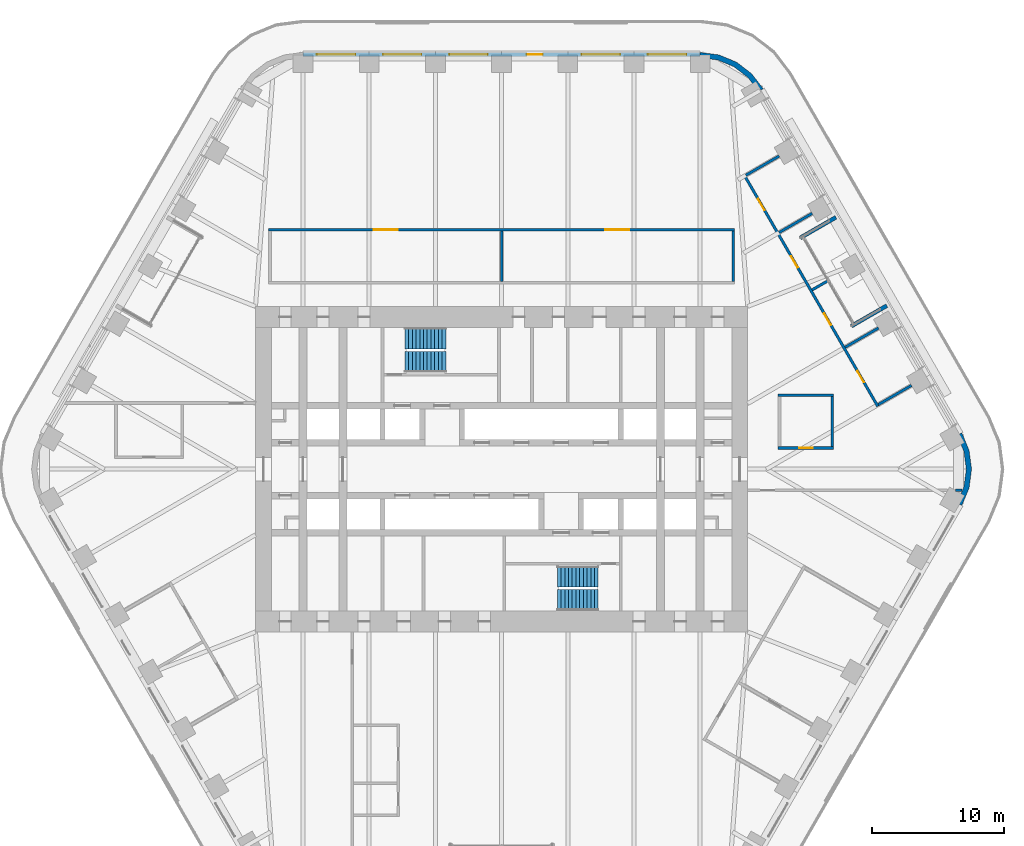
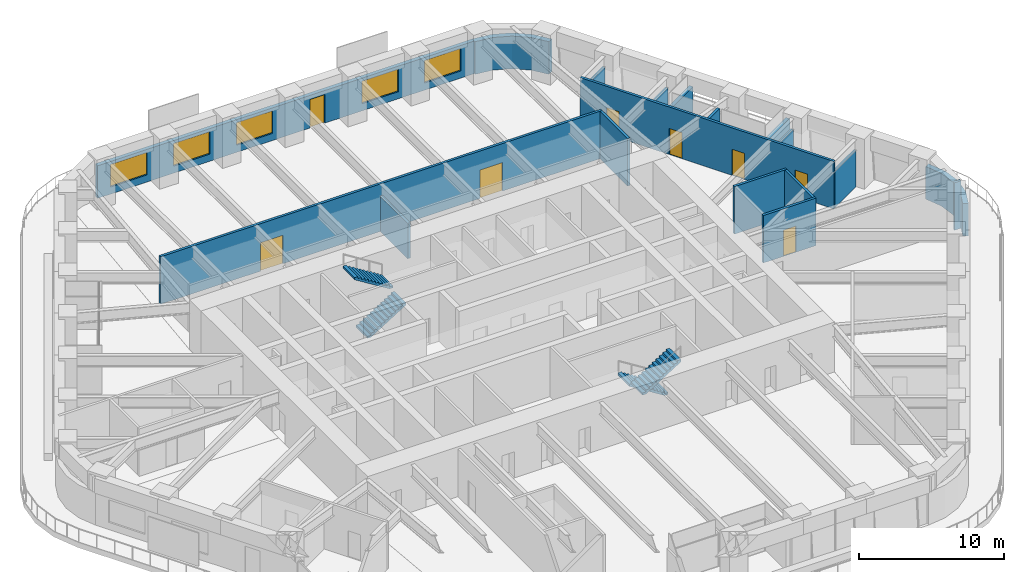
# One storey, part 21 of 24: 18 walls, 8 doors, 5 windows, 4 stair flights, 13 openings, 2 elements without a shape of their own.
"""IFC4 building model written with IfcOpenShell, lengths in metres."""

from ifc_helpers import new_model, si_unit, direction, frame, frame_2d, origin, place, context, subcontext, project, spatial, polyline, rectangle, outline, extrude, material, layer, layer_set, type_object, element, fill, aggregate, save


model = new_model("IFC4")

# Units and contexts
model_context = context("Model", 3, precision=1e-05, world=origin(), true_north=direction((0.0, 1.0)))
body_context = subcontext(model_context, "Body", "Model", "MODEL_VIEW")
ifc_project = project(units=[si_unit("LENGTHUNIT", "METRE"), si_unit("AREAUNIT", "SQUARE_METRE"), si_unit("VOLUMEUNIT", "CUBIC_METRE"), si_unit("PLANEANGLEUNIT", "RADIAN"), si_unit("MASSUNIT", "GRAM", prefix="KILO")], contexts=[model_context])

# Site, building, storey
site_placement = place(None, origin())
site = spatial("IfcSite", under=ifc_project, at=site_placement, CompositionType="ELEMENT")
building_placement = place(site_placement, origin())
building = spatial("IfcBuilding", under=site, at=building_placement, Name="Tarfa Lantern Tower", CompositionType="ELEMENT")
storey_placement = place(building_placement, frame((0.0, 0.0, 186.699951171875)))
storey = spatial("IfcBuildingStorey", under=building, at=storey_placement, Name="L42", CompositionType="ELEMENT", Elevation=186.699951171875)

# Walls
ifc_material_1 = material(Name="Limestone cladding on blockwork", Category="masonry")
ifc_layer_1 = layer(ifc_material_1, 0.300048828125)
ifc_layer_set_1 = layer_set([ifc_layer_1], Name="EW1 STONE-CLAD WALL 300")
wall_type_1 = type_object("IfcWallType", Name="EW1 STONE-CLAD WALL 300", PredefinedType="SOLIDWALL", material=ifc_layer_set_1)
wall_1_placement = place(storey_placement, frame((29.1201171875, 12.362548828125, 0.0), z_axis=(0.0, 0.0, 1.0), x_axis=(-0.86602952684, -0.49999285859, 0.0)))
element("IfcWall", 1, at=wall_1_placement, inside=storey, type_object=wall_type_1, Name="Loggia return NE 1", PredefinedType="SOLIDWALL", context=body_context, shape_type="SweptSolid", body=[
    extrude(rectangle(XDim=3.10009765625, YDim=0.300048828125, at=frame_2d((1.550048828125, 0.0))), origin(), (0.0, 0.0, 1.0), 2.75),
])
wall_2_placement = place(storey_placement, frame((25.266357421875, 19.037353515625, 0.0), z_axis=(0.0, 0.0, 1.0), x_axis=(-0.86600983753, -0.500026960575, 0.0)))
element("IfcWall", 2, at=wall_2_placement, inside=storey, type_object=wall_type_1, Name="Loggia return NE 2", PredefinedType="SOLIDWALL", context=body_context, shape_type="SweptSolid", body=[
    extrude(rectangle(XDim=3.099853515625, YDim=0.300048828125, at=frame_2d((1.5498046875, 0.0))), origin(), (0.0, 0.0, 1.0), 2.75),
])

# Wall, openings, door, windows
wall_3_placement = place(storey_placement, frame((15.010986328125, 31.35009765625, 0.0), z_axis=(0.0, 0.0, 1.0), x_axis=(-1.0, 0.0, 0.0)))
wall_3 = element("IfcWall", 3, at=wall_3_placement, inside=storey, type_object=wall_type_1, Name="Stone wall N", PredefinedType="SOLIDWALL", context=body_context, shape_type="SweptSolid", body=[
    extrude(rectangle(XDim=30.02197265625, YDim=0.300048828125, at=frame_2d((15.010986328125, 0.0))), origin(), (0.0, 0.0, 1.0), 2.75),
])
opening_1_placement = place(wall_3_placement, frame((1.0517578125, 0.0, 0.60009765625)))
opening_1 = element("IfcOpeningElement", 4, at=opening_1_placement, cuts=wall_3, Name="Opening W9", PredefinedType="OPENING", context=body_context, shape_type="SweptSolid", body=[
    extrude(rectangle(XDim=2.89990234375, YDim=1.89990234375, at=frame_2d((1.449951171875, 0.949951171875))), frame((0.0, 0.159912109375, 0.0), z_axis=(0.0, -1.0, 0.0), x_axis=(1.0, 0.0, 0.0)), (0.0, 0.0, 1.0), 0.320068359375),
])
opening_2_placement = place(wall_3_placement, frame((6.0556640625, 0.0, 0.60009765625)))
opening_2 = element("IfcOpeningElement", 5, at=opening_2_placement, cuts=wall_3, Name="Opening W9", PredefinedType="OPENING", context=body_context, shape_type="SweptSolid", body=[
    extrude(rectangle(XDim=2.89990234375, YDim=1.89990234375, at=frame_2d((1.449951171875, 0.949951171875))), frame((0.0, 0.159912109375, 0.0), z_axis=(0.0, -1.0, 0.0), x_axis=(1.0, 0.0, 0.0)), (0.0, 0.0, 1.0), 0.320068359375),
])
opening_3_placement = place(wall_3_placement, frame((11.9091796875, 0.0, 0.0)))
opening_3 = element("IfcOpeningElement", 6, at=opening_3_placement, cuts=wall_3, Name="Opening D50", PredefinedType="OPENING", context=body_context, shape_type="SweptSolid", body=[
    extrude(rectangle(XDim=1.199951171875, YDim=2.39990234375, at=frame_2d((0.60009765625, 1.199951171875))), frame((0.0, 0.159912109375, 0.0), z_axis=(0.0, -1.0, 0.0), x_axis=(1.0, 0.0, 0.0)), (0.0, 0.0, 1.0), 0.320068359375),
])
opening_4_placement = place(wall_3_placement, frame((16.06298828125, 0.0, 0.60009765625)))
opening_4 = element("IfcOpeningElement", 7, at=opening_4_placement, cuts=wall_3, Name="Opening W9", PredefinedType="OPENING", context=body_context, shape_type="SweptSolid", body=[
    extrude(rectangle(XDim=2.89990234375, YDim=1.89990234375, at=frame_2d((1.449951171875, 0.949951171875))), frame((0.0, 0.159912109375, 0.0), z_axis=(0.0, -1.0, 0.0), x_axis=(1.0, 0.0, 0.0)), (0.0, 0.0, 1.0), 0.320068359375),
])
opening_5_placement = place(wall_3_placement, frame((21.066650390625, 0.0, 0.60009765625)))
opening_5 = element("IfcOpeningElement", 8, at=opening_5_placement, cuts=wall_3, Name="Opening W9", PredefinedType="OPENING", context=body_context, shape_type="SweptSolid", body=[
    extrude(rectangle(XDim=2.89990234375, YDim=1.89990234375, at=frame_2d((1.449951171875, 0.949951171875))), frame((0.0, 0.159912109375, 0.0), z_axis=(0.0, -1.0, 0.0), x_axis=(1.0, 0.0, 0.0)), (0.0, 0.0, 1.0), 0.320068359375),
])
opening_6_placement = place(wall_3_placement, frame((26.0703125, 0.0, 0.60009765625)))
opening_6 = element("IfcOpeningElement", 9, at=opening_6_placement, cuts=wall_3, Name="Opening W9", PredefinedType="OPENING", context=body_context, shape_type="SweptSolid", body=[
    extrude(rectangle(XDim=2.89990234375, YDim=1.89990234375, at=frame_2d((1.449951171875, 0.949951171875))), frame((0.0, 0.159912109375, 0.0), z_axis=(0.0, -1.0, 0.0), x_axis=(1.0, 0.0, 0.0)), (0.0, 0.0, 1.0), 0.320068359375),
])
ifc_material_2 = material(Name="Aluminium framed glazed door", Category="aluminium")
door_type_1 = type_object("IfcDoorType", Name="BE3 BALCONY DOOR 1200x2400", OperationType="SINGLE_SWING_RIGHT", PredefinedType="DOOR", material=ifc_material_2)
door_1_placement = place(opening_3_placement, origin())
door_1 = element("IfcDoor", 10, at=door_1_placement, inside=storey, type_object=door_type_1, Name="Balcony door N", OperationType="SINGLE_SWING_RIGHT", OverallHeight=2.39990234375, OverallWidth=1.199951171875, PredefinedType="DOOR", context=body_context, shape_type="SweptSolid", body=[
    extrude(rectangle(XDim=1.199951171875, YDim=2.39990234375, at=frame_2d((0.60009765625, 1.199951171875))), frame((0.0, 0.02490234375, 0.0), z_axis=(0.0, -1.0, 0.0), x_axis=(1.0, 0.0, 0.0)), (0.0, 0.0, 1.0), 0.050048828125),
])
fill(opening_3, door_1)
ifc_material_3 = material(Name="Aluminium frame, double glazed", Category="aluminium")
window_type = type_object("IfcWindowType", Name="W9 FULL-HEIGHT GLAZING 2900x1900", PartitioningType="SINGLE_PANEL", PredefinedType="WINDOW", material=ifc_material_3)
window_1_placement = place(opening_1_placement, origin())
window_1 = element("IfcWindow", 11, at=window_1_placement, inside=storey, type_object=window_type, Name="Window N 1", OverallHeight=1.89990234375, OverallWidth=2.89990234375, PartitioningType="SINGLE_PANEL", PredefinedType="WINDOW", context=body_context, shape_type="SweptSolid", body=[
    extrude(rectangle(XDim=2.89990234375, YDim=1.89990234375, at=frame_2d((1.449951171875, 0.949951171875))), frame((0.0, 0.030029296875, 0.0), z_axis=(0.0, -1.0, 0.0), x_axis=(1.0, 0.0, 0.0)), (0.0, 0.0, 1.0), 0.06005859375),
])
fill(opening_1, window_1)
window_2_placement = place(opening_2_placement, origin())
window_2 = element("IfcWindow", 12, at=window_2_placement, inside=storey, type_object=window_type, Name="Window N 2", OverallHeight=1.89990234375, OverallWidth=2.89990234375, PartitioningType="SINGLE_PANEL", PredefinedType="WINDOW", context=body_context, shape_type="SweptSolid", body=[
    extrude(rectangle(XDim=2.89990234375, YDim=1.89990234375, at=frame_2d((1.449951171875, 0.949951171875))), frame((0.0, 0.030029296875, 0.0), z_axis=(0.0, -1.0, 0.0), x_axis=(1.0, 0.0, 0.0)), (0.0, 0.0, 1.0), 0.06005859375),
])
fill(opening_2, window_2)
window_3_placement = place(opening_4_placement, origin())
window_3 = element("IfcWindow", 13, at=window_3_placement, inside=storey, type_object=window_type, Name="Window N 4", OverallHeight=1.89990234375, OverallWidth=2.89990234375, PartitioningType="SINGLE_PANEL", PredefinedType="WINDOW", context=body_context, shape_type="SweptSolid", body=[
    extrude(rectangle(XDim=2.89990234375, YDim=1.89990234375, at=frame_2d((1.449951171875, 0.949951171875))), frame((0.0, 0.030029296875, 0.0), z_axis=(0.0, -1.0, 0.0), x_axis=(1.0, 0.0, 0.0)), (0.0, 0.0, 1.0), 0.06005859375),
])
fill(opening_4, window_3)
window_4_placement = place(opening_5_placement, origin())
window_4 = element("IfcWindow", 14, at=window_4_placement, inside=storey, type_object=window_type, Name="Window N 5", OverallHeight=1.89990234375, OverallWidth=2.89990234375, PartitioningType="SINGLE_PANEL", PredefinedType="WINDOW", context=body_context, shape_type="SweptSolid", body=[
    extrude(rectangle(XDim=2.89990234375, YDim=1.89990234375, at=frame_2d((1.449951171875, 0.949951171875))), frame((0.0, 0.030029296875, 0.0), z_axis=(0.0, -1.0, 0.0), x_axis=(1.0, 0.0, 0.0)), (0.0, 0.0, 1.0), 0.06005859375),
])
fill(opening_5, window_4)
window_5_placement = place(opening_6_placement, origin())
window_5 = element("IfcWindow", 15, at=window_5_placement, inside=storey, type_object=window_type, Name="Window N 6", OverallHeight=1.89990234375, OverallWidth=2.89990234375, PartitioningType="SINGLE_PANEL", PredefinedType="WINDOW", context=body_context, shape_type="SweptSolid", body=[
    extrude(rectangle(XDim=2.89990234375, YDim=1.89990234375, at=frame_2d((1.449951171875, 0.949951171875))), frame((0.0, 0.030029296875, 0.0), z_axis=(0.0, -1.0, 0.0), x_axis=(1.0, 0.0, 0.0)), (0.0, 0.0, 1.0), 0.06005859375),
])
fill(opening_6, window_5)

# Walls
ifc_layer_2 = layer(ifc_material_1, 0.39990234375)
ifc_layer_set_2 = layer_set([ifc_layer_2], Name="EW2 CURVED STONE CORNER 400")
wall_type_2 = type_object("IfcWallType", Name="EW2 CURVED STONE CORNER 400", PredefinedType="SOLIDWALL", material=ifc_layer_set_2)
wall_4_placement = place(storey_placement, origin())
element("IfcWall", 16, at=wall_4_placement, inside=storey, type_object=wall_type_2, Name="Stone corner NE-N", PredefinedType="SOLIDWALL", context=body_context, shape_type="SweptSolid", body=[
    extrude(outline(polyline([(19.774169921875, 28.75), (18.900146484375, 29.88916015625), (17.760986328125, 30.76318359375), (16.4345703125, 31.3125), (15.010986328125, 31.5), (15.010986328125, 31.10009765625), (16.3310546875, 30.92626953125), (17.56103515625, 30.416748046875), (18.617431640625, 29.606201171875), (19.427734375, 28.550048828125), (19.774169921875, 28.75)])), origin(), (0.0, 0.0, 1.0), 2.75),
])
wall_5_placement = place(storey_placement, origin())
element("IfcWall", 17, at=wall_5_placement, inside=storey, type_object=wall_type_2, Name="Stone corner SE-NE", PredefinedType="SOLIDWALL", context=body_context, shape_type="SweptSolid", body=[
    extrude(outline(polyline([(34.785400390625, -2.75), (35.334716796875, -1.423583984375), (35.522216796875, 0.0), (35.334716796875, 1.423583984375), (34.785400390625, 2.75), (34.43896484375, 2.550048828125), (34.948486328125, 1.320068359375), (35.122314453125, 0.0), (34.948486328125, -1.320068359375), (34.43896484375, -2.550048828125), (34.785400390625, -2.75)])), origin(), (0.0, 0.0, 1.0), 2.75),
])

# Wall, openings, doors
ifc_material_4 = material(Name="Gypsum board on steel studs", Category="steel")
ifc_layer_3 = layer(ifc_material_4, 0.2099609375)
ifc_layer_set_3 = layer_set([ifc_layer_3], Name="IW2 ACOUSTIC PARTITION 200")
wall_type_3 = type_object("IfcWallType", Name="IW2 ACOUSTIC PARTITION 200", PredefinedType="PARTITIONING", material=ifc_layer_set_3)
wall_6_placement = place(storey_placement, frame((-17.60009765625, 18.10009765625, 0.0), z_axis=(0.0, 0.0, 1.0), x_axis=(1.0, 0.0, 0.0)))
wall_6 = element("IfcWall", 18, at=wall_6_placement, inside=storey, type_object=wall_type_3, Name="Partition", PredefinedType="PARTITIONING", context=body_context, shape_type="SweptSolid", body=[
    extrude(rectangle(XDim=35.2001953125, YDim=0.199951171875, at=frame_2d((17.60009765625, 0.0))), origin(), (0.0, 0.0, 1.0), 4.0),
])
opening_7_placement = place(wall_6_placement, frame((7.949951171875, 0.0, 0.0)))
opening_7 = element("IfcOpeningElement", 19, at=opening_7_placement, cuts=wall_6, Name="Opening D42", PredefinedType="OPENING", context=body_context, shape_type="SweptSolid", body=[
    extrude(rectangle(XDim=1.800048828125, YDim=2.39990234375, at=frame_2d((0.89990234375, 1.199951171875))), frame((0.0, 0.10986328125, 0.0), z_axis=(0.0, -1.0, 0.0), x_axis=(1.0, 0.0, 0.0)), (0.0, 0.0, 1.0), 0.219970703125),
])
opening_8_placement = place(wall_6_placement, frame((25.449951171875, 0.0, 0.0)))
opening_8 = element("IfcOpeningElement", 20, at=opening_8_placement, cuts=wall_6, Name="Opening D43", PredefinedType="OPENING", context=body_context, shape_type="SweptSolid", body=[
    extrude(rectangle(XDim=1.800048828125, YDim=2.39990234375, at=frame_2d((0.89990234375, 1.199951171875))), frame((0.0, 0.10986328125, 0.0), z_axis=(0.0, -1.0, 0.0), x_axis=(1.0, 0.0, 0.0)), (0.0, 0.0, 1.0), 0.219970703125),
])
ifc_material_5 = material(Name="Timber door", Category="wood")
door_type_2 = type_object("IfcDoorType", Name="DR2 ROOM DOOR 1800x2400", OperationType="DOUBLE_DOOR_SINGLE_SWING", PredefinedType="DOOR", material=ifc_material_5)
door_2_placement = place(opening_7_placement, frame((1.800048828125, 0.0, 0.0), z_axis=(0.0, 0.0, 1.0), x_axis=(-1.0, 0.0, 0.0)))
door_2 = element("IfcDoor", 21, at=door_2_placement, inside=storey, type_object=door_type_2, Name="Protocol office door", OperationType="DOUBLE_DOOR_SINGLE_SWING", OverallHeight=2.39990234375, OverallWidth=1.800048828125, PredefinedType="DOOR", context=body_context, shape_type="SweptSolid", body=[
    extrude(rectangle(XDim=1.800048828125, YDim=2.39990234375, at=frame_2d((0.89990234375, 1.199951171875))), frame((0.0, 0.02490234375, 0.0), z_axis=(0.0, -1.0, 0.0), x_axis=(1.0, 0.0, 0.0)), (0.0, 0.0, 1.0), 0.050048828125),
])
fill(opening_7, door_2)
door_3_placement = place(opening_8_placement, frame((1.800048828125, 0.0, 0.0), z_axis=(0.0, 0.0, 1.0), x_axis=(-1.0, 0.0, 0.0)))
door_3 = element("IfcDoor", 22, at=door_3_placement, inside=storey, type_object=door_type_2, Name="Meeting room door", OperationType="DOUBLE_DOOR_SINGLE_SWING", OverallHeight=2.39990234375, OverallWidth=1.800048828125, PredefinedType="DOOR", context=body_context, shape_type="SweptSolid", body=[
    extrude(rectangle(XDim=1.800048828125, YDim=2.39990234375, at=frame_2d((0.89990234375, 1.199951171875))), frame((0.0, 0.02490234375, 0.0), z_axis=(0.0, -1.0, 0.0), x_axis=(1.0, 0.0, 0.0)), (0.0, 0.0, 1.0), 0.050048828125),
])
fill(opening_8, door_3)

# Walls
wall_7_placement = place(storey_placement, frame((0.0, 14.199951171875, 0.0), z_axis=(0.0, 0.0, 1.0), x_axis=(0.0, 1.0, 0.0)))
element("IfcWall", 23, at=wall_7_placement, inside=storey, type_object=wall_type_3, Name="Partition", PredefinedType="PARTITIONING", context=body_context, shape_type="SweptSolid", body=[
    extrude(rectangle(XDim=3.800048828125, YDim=0.199951171875, at=frame_2d((1.89990234375, 0.0))), origin(), (0.0, 0.0, 1.0), 2.991943359375),
])
wall_8_placement = place(storey_placement, frame((17.5, 14.199951171875, 0.0), z_axis=(0.0, 0.0, 1.0), x_axis=(0.0, 1.0, 0.0)))
element("IfcWall", 24, at=wall_8_placement, inside=storey, type_object=wall_type_3, Name="Partition", PredefinedType="PARTITIONING", context=body_context, shape_type="SweptSolid", body=[
    extrude(rectangle(XDim=3.800048828125, YDim=0.199951171875, at=frame_2d((1.89990234375, 0.0))), origin(), (0.0, 0.0, 1.0), 4.0),
])

# Wall, openings, doors
wall_9_placement = place(storey_placement, frame((28.436279296875, 4.746826171875, 0.0), z_axis=(0.0, 0.0, 1.0), x_axis=(-0.499995666571, 0.866027905677, 0.0)))
wall_9 = element("IfcWall", 25, at=wall_9_placement, inside=storey, type_object=wall_type_3, Name="Partition", PredefinedType="PARTITIONING", context=body_context, shape_type="SweptSolid", body=[
    extrude(rectangle(XDim=20.214599609375, YDim=0.199951171875, at=frame_2d((10.107421875, 0.0))), origin(), (0.0, 0.0, 1.0), 4.0),
])
opening_9_placement = place(wall_9_placement, frame((2.101806640625, 0.0, 0.0)))
opening_9 = element("IfcOpeningElement", 26, at=opening_9_placement, cuts=wall_9, Name="Opening D34", PredefinedType="OPENING", context=body_context, shape_type="SweptSolid", body=[
    extrude(rectangle(XDim=1.0, YDim=2.199951171875, at=frame_2d((0.5, 1.10009765625))), frame((0.0, 0.10986328125, 0.0), z_axis=(0.0, -1.0, 0.0), x_axis=(1.0, 0.0, 0.0)), (0.0, 0.0, 1.0), 0.219970703125),
])
opening_10_placement = place(wall_9_placement, frame((7.10546875, 0.0, 0.0)))
opening_10 = element("IfcOpeningElement", 27, at=opening_10_placement, cuts=wall_9, Name="Opening D35", PredefinedType="OPENING", context=body_context, shape_type="SweptSolid", body=[
    extrude(rectangle(XDim=1.0, YDim=2.199951171875, at=frame_2d((0.5, 1.10009765625))), frame((0.0, 0.10986328125, 0.0), z_axis=(0.0, -1.0, 0.0), x_axis=(1.0, 0.0, 0.0)), (0.0, 0.0, 1.0), 0.219970703125),
])
opening_11_placement = place(wall_9_placement, frame((12.109375, 0.0, 0.0)))
opening_11 = element("IfcOpeningElement", 28, at=opening_11_placement, cuts=wall_9, Name="Opening D36", PredefinedType="OPENING", context=body_context, shape_type="SweptSolid", body=[
    extrude(rectangle(XDim=1.0, YDim=2.199951171875, at=frame_2d((0.5, 1.10009765625))), frame((0.0, 0.10986328125, 0.0), z_axis=(0.0, -1.0, 0.0), x_axis=(1.0, 0.0, 0.0)), (0.0, 0.0, 1.0), 0.219970703125),
])
opening_12_placement = place(wall_9_placement, frame((17.113037109375, 0.0, 0.0)))
opening_12 = element("IfcOpeningElement", 29, at=opening_12_placement, cuts=wall_9, Name="Opening D37", PredefinedType="OPENING", context=body_context, shape_type="SweptSolid", body=[
    extrude(rectangle(XDim=1.0, YDim=2.199951171875, at=frame_2d((0.5, 1.10009765625))), frame((0.0, 0.10986328125, 0.0), z_axis=(0.0, -1.0, 0.0), x_axis=(1.0, 0.0, 0.0)), (0.0, 0.0, 1.0), 0.219970703125),
])
door_type_3 = type_object("IfcDoorType", Name="DR1 ROOM DOOR 1000x2200", OperationType="SINGLE_SWING_LEFT", PredefinedType="DOOR", material=ifc_material_5)
door_4_placement = place(opening_9_placement, frame((1.0, 0.0, 0.0), z_axis=(0.0, 0.0, 1.0), x_axis=(-1.0, 0.0, 0.0)))
door_4 = element("IfcDoor", 30, at=door_4_placement, inside=storey, type_object=door_type_3, Name="Liaison office door", OperationType="SINGLE_SWING_LEFT", OverallHeight=2.199951171875, OverallWidth=1.0, PredefinedType="DOOR", context=body_context, shape_type="SweptSolid", body=[
    extrude(rectangle(XDim=1.0, YDim=2.199951171875, at=frame_2d((0.5, 1.10009765625))), frame((0.0, 0.02490234375, 0.0), z_axis=(0.0, -1.0, 0.0), x_axis=(1.0, 0.0, 0.0)), (0.0, 0.0, 1.0), 0.050048828125),
])
fill(opening_9, door_4)
door_5_placement = place(opening_10_placement, frame((1.0, 0.0, 0.0), z_axis=(0.0, 0.0, 1.0), x_axis=(-1.0, 0.0, 0.0)))
door_5 = element("IfcDoor", 31, at=door_5_placement, inside=storey, type_object=door_type_3, Name="Liaison office door", OperationType="SINGLE_SWING_LEFT", OverallHeight=2.199951171875, OverallWidth=1.0, PredefinedType="DOOR", context=body_context, shape_type="SweptSolid", body=[
    extrude(rectangle(XDim=1.0, YDim=2.199951171875, at=frame_2d((0.5, 1.10009765625))), frame((0.0, 0.02490234375, 0.0), z_axis=(0.0, -1.0, 0.0), x_axis=(1.0, 0.0, 0.0)), (0.0, 0.0, 1.0), 0.050048828125),
])
fill(opening_10, door_5)
door_6_placement = place(opening_11_placement, frame((1.0, 0.0, 0.0), z_axis=(0.0, 0.0, 1.0), x_axis=(-1.0, 0.0, 0.0)))
door_6 = element("IfcDoor", 32, at=door_6_placement, inside=storey, type_object=door_type_3, Name="Liaison office door", OperationType="SINGLE_SWING_RIGHT", OverallHeight=2.199951171875, OverallWidth=1.0, PredefinedType="DOOR", context=body_context, shape_type="SweptSolid", body=[
    extrude(rectangle(XDim=1.0, YDim=2.199951171875, at=frame_2d((0.5, 1.10009765625))), frame((0.0, 0.02490234375, 0.0), z_axis=(0.0, -1.0, 0.0), x_axis=(1.0, 0.0, 0.0)), (0.0, 0.0, 1.0), 0.050048828125),
])
fill(opening_11, door_6)
door_7_placement = place(opening_12_placement, frame((1.0, 0.0, 0.0), z_axis=(0.0, 0.0, 1.0), x_axis=(-1.0, 0.0, 0.0)))
door_7 = element("IfcDoor", 33, at=door_7_placement, inside=storey, type_object=door_type_3, Name="Liaison office door", OperationType="SINGLE_SWING_RIGHT", OverallHeight=2.199951171875, OverallWidth=1.0, PredefinedType="DOOR", context=body_context, shape_type="SweptSolid", body=[
    extrude(rectangle(XDim=1.0, YDim=2.199951171875, at=frame_2d((0.5, 1.10009765625))), frame((0.0, 0.02490234375, 0.0), z_axis=(0.0, -1.0, 0.0), x_axis=(1.0, 0.0, 0.0)), (0.0, 0.0, 1.0), 0.050048828125),
])
fill(opening_12, door_7)

# Walls
wall_10_placement = place(storey_placement, frame((28.472900390625, 4.88330078125, 0.0), z_axis=(0.0, 0.0, 1.0), x_axis=(0.866032775405, 0.499987231761, 0.0)))
element("IfcWall", 34, at=wall_10_placement, inside=storey, type_object=wall_type_3, Name="Partition", PredefinedType="PARTITIONING", context=body_context, shape_type="SweptSolid", body=[
    extrude(rectangle(XDim=2.89990234375, YDim=0.199951171875, at=frame_2d((1.449951171875, 0.0))), origin(), (0.0, 0.0, 1.0), 3.08154296875),
])
wall_11_placement = place(storey_placement, frame((25.97119140625, 9.216552734375, 0.0), z_axis=(0.0, 0.0, 1.0), x_axis=(0.865996321171, 0.50005036918, 0.0)))
element("IfcWall", 35, at=wall_11_placement, inside=storey, type_object=wall_type_3, Name="Partition", PredefinedType="PARTITIONING", context=body_context, shape_type="SweptSolid", body=[
    extrude(rectangle(XDim=2.900146484375, YDim=0.199951171875, at=frame_2d((1.4501953125, 0.0))), origin(), (0.0, 0.0, 1.0), 3.08154296875),
])
wall_12_placement = place(storey_placement, frame((23.46923828125, 13.550048828125, 0.0), z_axis=(0.0, 0.0, 1.0), x_axis=(0.866057911062, 0.499943691516, 0.0)))
element("IfcWall", 36, at=wall_12_placement, inside=storey, type_object=wall_type_3, Name="Partition", PredefinedType="PARTITIONING", context=body_context, shape_type="SweptSolid", body=[
    extrude(rectangle(XDim=1.401123046875, YDim=0.199951171875, at=frame_2d((0.70068359375, 0.0))), origin(), (0.0, 0.0, 1.0), 4.0),
])
wall_13_placement = place(storey_placement, frame((20.967529296875, 17.88330078125, 0.0), z_axis=(0.0, 0.0, 1.0), x_axis=(0.866032775405, 0.499987231761, 0.0)))
element("IfcWall", 37, at=wall_13_placement, inside=storey, type_object=wall_type_3, Name="Partition", PredefinedType="PARTITIONING", context=body_context, shape_type="SweptSolid", body=[
    extrude(rectangle(XDim=2.89990234375, YDim=0.199951171875, at=frame_2d((1.449951171875, 0.0))), origin(), (0.0, 0.0, 1.0), 3.08154296875),
])
wall_14_placement = place(storey_placement, frame((18.465576171875, 22.216552734375, 0.0), z_axis=(0.0, 0.0, 1.0), x_axis=(0.865996321171, 0.50005036918, 0.0)))
element("IfcWall", 38, at=wall_14_placement, inside=storey, type_object=wall_type_3, Name="Partition", PredefinedType="PARTITIONING", context=body_context, shape_type="SweptSolid", body=[
    extrude(rectangle(XDim=2.900146484375, YDim=0.199951171875, at=frame_2d((1.4501953125, 0.0))), origin(), (0.0, 0.0, 1.0), 3.08154296875),
])

# Wall, opening, door
wall_15_placement = place(storey_placement, frame((20.89990234375, 1.60009765625, 0.0), z_axis=(0.0, 0.0, 1.0), x_axis=(1.0, 0.0, 0.0)))
wall_15 = element("IfcWall", 39, at=wall_15_placement, inside=storey, type_object=wall_type_3, Name="Partition", PredefinedType="PARTITIONING", context=body_context, shape_type="SweptSolid", body=[
    extrude(rectangle(XDim=4.2001953125, YDim=0.199951171875, at=frame_2d((2.10009765625, 0.0))), origin(), (0.0, 0.0, 1.0), 4.0),
])
opening_13_placement = place(wall_15_placement, frame((1.60009765625, 0.0, 0.0)))
opening_13 = element("IfcOpeningElement", 40, at=opening_13_placement, cuts=wall_15, Name="Opening D33", PredefinedType="OPENING", context=body_context, shape_type="SweptSolid", body=[
    extrude(rectangle(XDim=1.0, YDim=2.199951171875, at=frame_2d((0.5, 1.10009765625))), frame((0.0, 0.10986328125, 0.0), z_axis=(0.0, -1.0, 0.0), x_axis=(1.0, 0.0, 0.0)), (0.0, 0.0, 1.0), 0.219970703125),
])
door_8_placement = place(opening_13_placement, origin())
door_8 = element("IfcDoor", 41, at=door_8_placement, inside=storey, type_object=door_type_3, Name="Pantry door", OperationType="SINGLE_SWING_RIGHT", OverallHeight=2.199951171875, OverallWidth=1.0, PredefinedType="DOOR", context=body_context, shape_type="SweptSolid", body=[
    extrude(rectangle(XDim=1.0, YDim=2.199951171875, at=frame_2d((0.5, 1.10009765625))), frame((0.0, 0.02490234375, 0.0), z_axis=(0.0, -1.0, 0.0), x_axis=(1.0, 0.0, 0.0)), (0.0, 0.0, 1.0), 0.050048828125),
])
fill(opening_13, door_8)

# Walls
wall_16_placement = place(storey_placement, frame((20.89990234375, 5.60009765625, 0.0), z_axis=(0.0, 0.0, 1.0), x_axis=(1.0, 0.0, 0.0)))
element("IfcWall", 42, at=wall_16_placement, inside=storey, type_object=wall_type_3, Name="Partition", PredefinedType="PARTITIONING", context=body_context, shape_type="SweptSolid", body=[
    extrude(rectangle(XDim=4.2001953125, YDim=0.199951171875, at=frame_2d((2.10009765625, 0.0))), origin(), (0.0, 0.0, 1.0), 4.0),
])
wall_17_placement = place(storey_placement, frame((25.0, 1.699951171875, 0.0), z_axis=(0.0, 0.0, 1.0), x_axis=(0.0, 1.0, 0.0)))
element("IfcWall", 43, at=wall_17_placement, inside=storey, type_object=wall_type_3, Name="Partition", PredefinedType="PARTITIONING", context=body_context, shape_type="SweptSolid", body=[
    extrude(rectangle(XDim=3.800048828125, YDim=0.199951171875, at=frame_2d((1.89990234375, 0.0))), origin(), (0.0, 0.0, 1.0), 4.0),
])
wall_18_placement = place(storey_placement, frame((34.29345703125, -1.60009765625, 0.0), z_axis=(0.0, 0.0, 1.0), x_axis=(1.0, 0.0, 0.0)))
element("IfcWall", 44, at=wall_18_placement, inside=storey, type_object=wall_type_3, Name="Partition", PredefinedType="PARTITIONING", context=body_context, shape_type="SweptSolid", body=[
    extrude(rectangle(XDim=0.497802734375, YDim=0.199951171875, at=frame_2d((0.2490234375, 0.0))), origin(), (0.0, 0.0, 1.0), 4.0),
])

# Stair, stair flights
ifc_material_6 = material(Name="Concrete C40/50", Category="concrete")
stair_type = type_object("IfcStairType", Name="ST-T10 HALF-TURN STAIR 4200 RISE", PredefinedType="HALF_TURN_STAIR", material=ifc_material_6)
stair_1_placement = place(storey_placement, origin())
stair_1 = element("IfcStair", 45, at=stair_1_placement, inside=storey, type_object=stair_type, Name="Stair ST1", PredefinedType="HALF_TURN_STAIR")
stair_flight_type = type_object("IfcStairFlightType", Name="SF1 STAIR FLIGHT", PredefinedType="STRAIGHT", material=ifc_material_6)
stair_flight_1_placement = place(storey_placement, frame((-7.300048828125, 8.10009765625, 0.0), z_axis=(0.0, 0.0, 1.0), x_axis=(1.0, 0.0, 0.0)))
stair_flight_1 = element("IfcStairFlight", 46, at=stair_flight_1_placement, type_object=stair_flight_type, Name="ST1 flight 1", NumberOfRisers=12, NumberOfTreads=11, PredefinedType="STRAIGHT", RiserHeight=0.175, TreadLength=0.28, context=body_context, shape_type="SweptSolid", body=[
    extrude(outline(polyline([(0.0, 0.0), (0.0, 0.175048828125), (0.280029296875, 0.175048828125), (0.280029296875, 0.35009765625), (0.56005859375, 0.35009765625), (0.56005859375, 0.52490234375), (0.840087890625, 0.52490234375), (0.840087890625, 0.699951171875), (1.1201171875, 0.699951171875), (1.1201171875, 0.875), (1.39990234375, 0.875), (1.39990234375, 1.050048828125), (1.679931640625, 1.050048828125), (1.679931640625, 1.22509765625), (1.9599609375, 1.22509765625), (1.9599609375, 1.39990234375), (2.239990234375, 1.39990234375), (2.239990234375, 1.574951171875), (2.52001953125, 1.574951171875), (2.52001953125, 1.75), (2.800048828125, 1.75), (2.800048828125, 1.925048828125), (3.080078125, 1.925048828125), (3.080078125, 2.10009765625), (3.080078125, 1.748291015625), (0.28271484375, 0.0), (0.0, 0.0)])), frame((0.0, 0.800048828125, 0.0), z_axis=(0.0, -1.0, 0.0), x_axis=(1.0, 0.0, 0.0)), (0.0, 0.0, 1.0), 1.60009765625),
])
stair_flight_2_placement = place(storey_placement, frame((-4.219970703125, 9.89990234375, 2.10009765625), z_axis=(0.0, 0.0, 1.0), x_axis=(-1.0, 0.0, 0.0)))
stair_flight_2 = element("IfcStairFlight", 47, at=stair_flight_2_placement, type_object=stair_flight_type, Name="ST1 flight 2", NumberOfRisers=12, NumberOfTreads=11, PredefinedType="STRAIGHT", RiserHeight=0.175, TreadLength=0.28, context=body_context, shape_type="SweptSolid", body=[
    extrude(outline(polyline([(0.0, 0.0), (0.0, 0.175048828125), (0.280029296875, 0.175048828125), (0.280029296875, 0.35009765625), (0.56005859375, 0.35009765625), (0.56005859375, 0.52490234375), (0.840087890625, 0.52490234375), (0.840087890625, 0.699951171875), (1.1201171875, 0.699951171875), (1.1201171875, 0.875), (1.39990234375, 0.875), (1.39990234375, 1.050048828125), (1.679931640625, 1.050048828125), (1.679931640625, 1.22509765625), (1.9599609375, 1.22509765625), (1.9599609375, 1.39990234375), (2.239990234375, 1.39990234375), (2.239990234375, 1.574951171875), (2.52001953125, 1.574951171875), (2.52001953125, 1.75), (2.800048828125, 1.75), (2.800048828125, 1.925048828125), (3.080078125, 1.925048828125), (3.080078125, 2.10009765625), (3.080078125, 1.748291015625), (0.28271484375, 0.0), (0.0, 0.0)])), frame((0.0, 0.800048828125, 0.0), z_axis=(0.0, -1.0, 0.0), x_axis=(1.0, 0.0, 0.0)), (0.0, 0.0, 1.0), 1.60009765625),
])
aggregate(stair_1, [stair_flight_1, stair_flight_2])

stair_2_placement = place(storey_placement, origin())
stair_2 = element("IfcStair", 48, at=stair_2_placement, inside=storey, type_object=stair_type, Name="Stair ST2", PredefinedType="HALF_TURN_STAIR")
stair_flight_3_placement = place(storey_placement, frame((7.300048828125, -8.10009765625, 0.0), z_axis=(0.0, 0.0, 1.0), x_axis=(-1.0, 0.0, 0.0)))
stair_flight_3 = element("IfcStairFlight", 49, at=stair_flight_3_placement, type_object=stair_flight_type, Name="ST2 flight 1", NumberOfRisers=12, NumberOfTreads=11, PredefinedType="STRAIGHT", RiserHeight=0.175, TreadLength=0.28, context=body_context, shape_type="SweptSolid", body=[
    extrude(outline(polyline([(0.0, 0.0), (0.0, 0.175048828125), (0.280029296875, 0.175048828125), (0.280029296875, 0.35009765625), (0.56005859375, 0.35009765625), (0.56005859375, 0.52490234375), (0.840087890625, 0.52490234375), (0.840087890625, 0.699951171875), (1.1201171875, 0.699951171875), (1.1201171875, 0.875), (1.39990234375, 0.875), (1.39990234375, 1.050048828125), (1.679931640625, 1.050048828125), (1.679931640625, 1.22509765625), (1.9599609375, 1.22509765625), (1.9599609375, 1.39990234375), (2.239990234375, 1.39990234375), (2.239990234375, 1.574951171875), (2.52001953125, 1.574951171875), (2.52001953125, 1.75), (2.800048828125, 1.75), (2.800048828125, 1.925048828125), (3.080078125, 1.925048828125), (3.080078125, 2.10009765625), (3.080078125, 1.748291015625), (0.28271484375, 0.0), (0.0, 0.0)])), frame((0.0, 0.800048828125, 0.0), z_axis=(0.0, -1.0, 0.0), x_axis=(1.0, 0.0, 0.0)), (0.0, 0.0, 1.0), 1.60009765625),
])
stair_flight_4_placement = place(storey_placement, frame((4.219970703125, -9.89990234375, 2.10009765625), z_axis=(0.0, 0.0, 1.0), x_axis=(1.0, 0.0, 0.0)))
stair_flight_4 = element("IfcStairFlight", 50, at=stair_flight_4_placement, type_object=stair_flight_type, Name="ST2 flight 2", NumberOfRisers=12, NumberOfTreads=11, PredefinedType="STRAIGHT", RiserHeight=0.175, TreadLength=0.28, context=body_context, shape_type="SweptSolid", body=[
    extrude(outline(polyline([(0.0, 0.0), (0.0, 0.175048828125), (0.280029296875, 0.175048828125), (0.280029296875, 0.35009765625), (0.56005859375, 0.35009765625), (0.56005859375, 0.52490234375), (0.840087890625, 0.52490234375), (0.840087890625, 0.699951171875), (1.1201171875, 0.699951171875), (1.1201171875, 0.875), (1.39990234375, 0.875), (1.39990234375, 1.050048828125), (1.679931640625, 1.050048828125), (1.679931640625, 1.22509765625), (1.9599609375, 1.22509765625), (1.9599609375, 1.39990234375), (2.239990234375, 1.39990234375), (2.239990234375, 1.574951171875), (2.52001953125, 1.574951171875), (2.52001953125, 1.75), (2.800048828125, 1.75), (2.800048828125, 1.925048828125), (3.080078125, 1.925048828125), (3.080078125, 2.10009765625), (3.080078125, 1.748291015625), (0.28271484375, 0.0), (0.0, 0.0)])), frame((0.0, 0.800048828125, 0.0), z_axis=(0.0, -1.0, 0.0), x_axis=(1.0, 0.0, 0.0)), (0.0, 0.0, 1.0), 1.60009765625),
])
aggregate(stair_2, [stair_flight_3, stair_flight_4])

save(model, "model.ifc")
